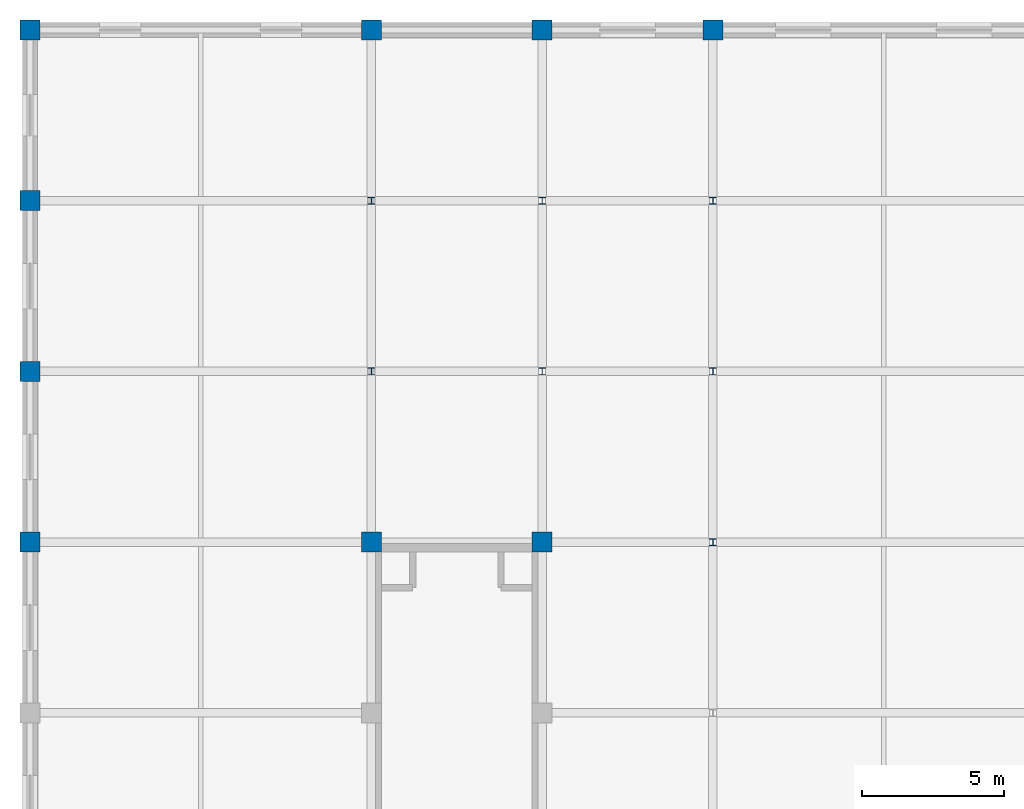
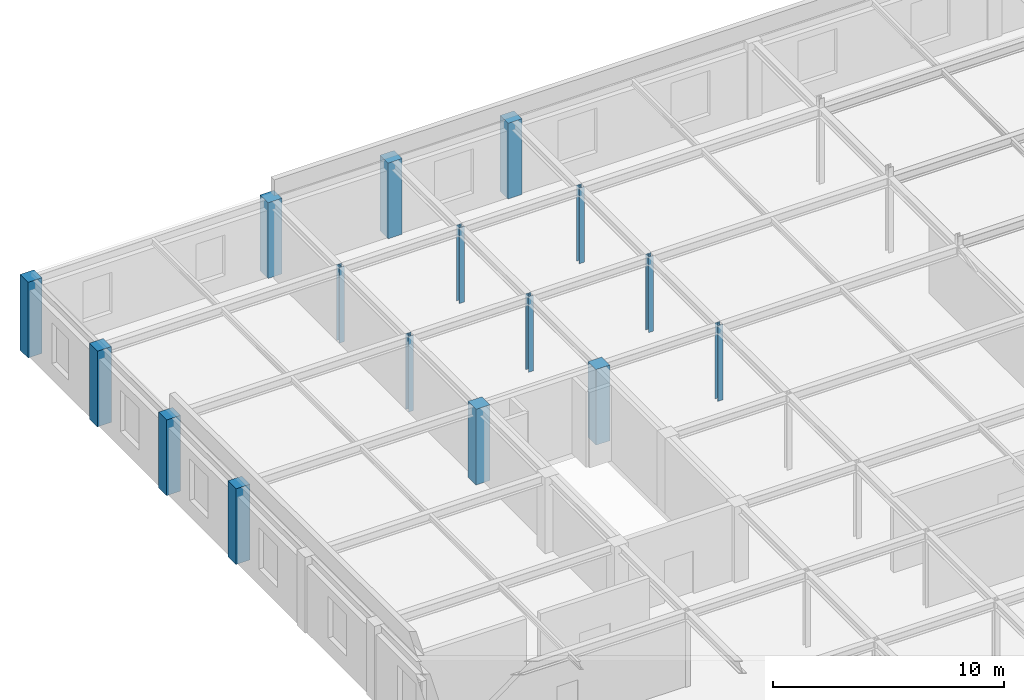
# One storey, part 15 of 111: 16 columns.
"""IFC4 building model written with IfcOpenShell, lengths in metres."""

from ifc_helpers import new_model, si_unit, direction, frame, origin, origin_2d, place, context, subcontext, project, spatial, rectangle, i_section, extrude, material, material_profile, profile_set, type_object, element, save


model = new_model("IFC4")

# Units and contexts
model_context = context("Model", 3, precision=1e-05, world=origin(), true_north=direction((0.0, 1.0)))
body_context = subcontext(model_context, "Body", "Model", "MODEL_VIEW")
ifc_project = project(units=[si_unit("LENGTHUNIT", "METRE"), si_unit("AREAUNIT", "SQUARE_METRE"), si_unit("VOLUMEUNIT", "CUBIC_METRE"), si_unit("PLANEANGLEUNIT", "RADIAN"), si_unit("MASSUNIT", "GRAM", prefix="KILO")], contexts=[model_context])

# Site, building, storey
site_placement = place(None, origin())
site = spatial("IfcSite", under=ifc_project, at=site_placement, CompositionType="ELEMENT")
building_placement = place(site_placement, origin())
building = spatial("IfcBuilding", under=site, at=building_placement, Name="Zlatovratsky Civic Hall", CompositionType="ELEMENT")
storey_placement = place(building_placement, frame((0.0, 0.0, 16.5)))
storey = spatial("IfcBuildingStorey", under=building, at=storey_placement, Name="L04", CompositionType="ELEMENT", Elevation=16.5)

# Columns
ifc_material_1 = material(Name="Concrete C35/45 (B40)", Category="concrete")
ifc_material_profile_1 = material_profile(ifc_material_1, rectangle(XDim=0.699951171875, YDim=0.699951171875, at=origin_2d()), Name="RC 700x700")
ifc_profile_set_1 = profile_set([ifc_material_profile_1], Name="Concrete C35/45 (B40)")
column_type_1 = type_object("IfcColumnType", Name="Col_CorePier_RC700", PredefinedType="COLUMN", material=ifc_profile_set_1)
for number, where, z_axis, x_axis, name in (
    (1, (0.0, 96.0, 0.0), (0.0, 0.0, 1.0), (1.0, 0.0, 0.0), "CL-1821"),
    (2, (12.0, 96.0, 0.0), (0.0, 0.0, 1.0), (1.0, 0.0, 0.0), "CL-1822"),
    (3, (18.0, 96.0, 0.0), (0.0, 0.0, 1.0), (1.0, 0.0, 0.0), "CL-1823"),
    (4, (0.0, 102.0, 0.0), (0.0, 0.0, 1.0), (1.0, 0.0, 0.0), "CL-1844"),
    (5, (0.0, 108.0, 0.0), (0.0, 0.0, 1.0), (1.0, 0.0, 0.0), "CL-1867"),
    (6, (0.0, 114.0, 0.0), (0.0, 0.0, 1.0), (1.0, 0.0, 0.0), "CL-1890"),
    (7, (12.0, 114.0, 0.0), (0.0, 0.0, 1.0), (1.0, 0.0, 0.0), "CL-1891"),
    (8, (18.0, 114.0, 0.0), (0.0, 0.0, 1.0), (1.0, 0.0, 0.0), "CL-1892"),
    (9, (24.0, 114.0, 0.0), (0.0, 0.0, 1.0), (1.0, 0.0, 0.0), "CL-1893"),
):
    element("IfcColumn", number, at=place(storey_placement, frame(where, z_axis=z_axis, x_axis=x_axis)), inside=storey, type_object=column_type_1, Name=name, PredefinedType="COLUMN", context=body_context, shape_type="SweptSolid", body=[
        extrude(rectangle(XDim=0.699951171875, YDim=0.699951171875, at=origin_2d()), origin(), (0.0, 0.0, 1.0), 4.0),
    ])
ifc_material_2 = material(Name="Steel S355", Category="steel")
ifc_material_profile_2 = material_profile(ifc_material_2, i_section(OverallWidth=0.25, OverallDepth=0.25, WebThickness=0.009033203125, FlangeThickness=0.013916015625, FilletRadius=0.01611328125, at=origin_2d()), Name="25K2")
ifc_profile_set_2 = profile_set([ifc_material_profile_2], Name="Steel S355")
column_type_2 = type_object("IfcColumnType", Name="Col_Steel_25K2", PredefinedType="COLUMN", material=ifc_profile_set_2)
for number, where, z_axis, x_axis, name in (
    (10, (24.0, 96.0, 0.0), (0.0, 0.0, 1.0), (1.0, 0.0, 0.0), "CL-1824"),
    (11, (12.0, 102.0, 0.0), (0.0, 0.0, 1.0), (1.0, 0.0, 0.0), "CL-1845"),
    (12, (18.0, 102.0, 0.0), (0.0, 0.0, 1.0), (1.0, 0.0, 0.0), "CL-1846"),
    (13, (24.0, 102.0, 0.0), (0.0, 0.0, 1.0), (1.0, 0.0, 0.0), "CL-1847"),
    (14, (12.0, 108.0, 0.0), (0.0, 0.0, 1.0), (1.0, 0.0, 0.0), "CL-1868"),
    (15, (18.0, 108.0, 0.0), (0.0, 0.0, 1.0), (1.0, 0.0, 0.0), "CL-1869"),
    (16, (24.0, 108.0, 0.0), (0.0, 0.0, 1.0), (1.0, 0.0, 0.0), "CL-1870"),
):
    element("IfcColumn", number, at=place(storey_placement, frame(where, z_axis=z_axis, x_axis=x_axis)), inside=storey, type_object=column_type_2, Name=name, PredefinedType="COLUMN", context=body_context, shape_type="SweptSolid", body=[
        extrude(i_section(OverallWidth=0.25, OverallDepth=0.25, WebThickness=0.009033203125, FlangeThickness=0.013916015625, FilletRadius=0.01611328125, at=origin_2d()), origin(), (0.0, 0.0, 1.0), 4.0),
    ])

save(model, "model.ifc")
